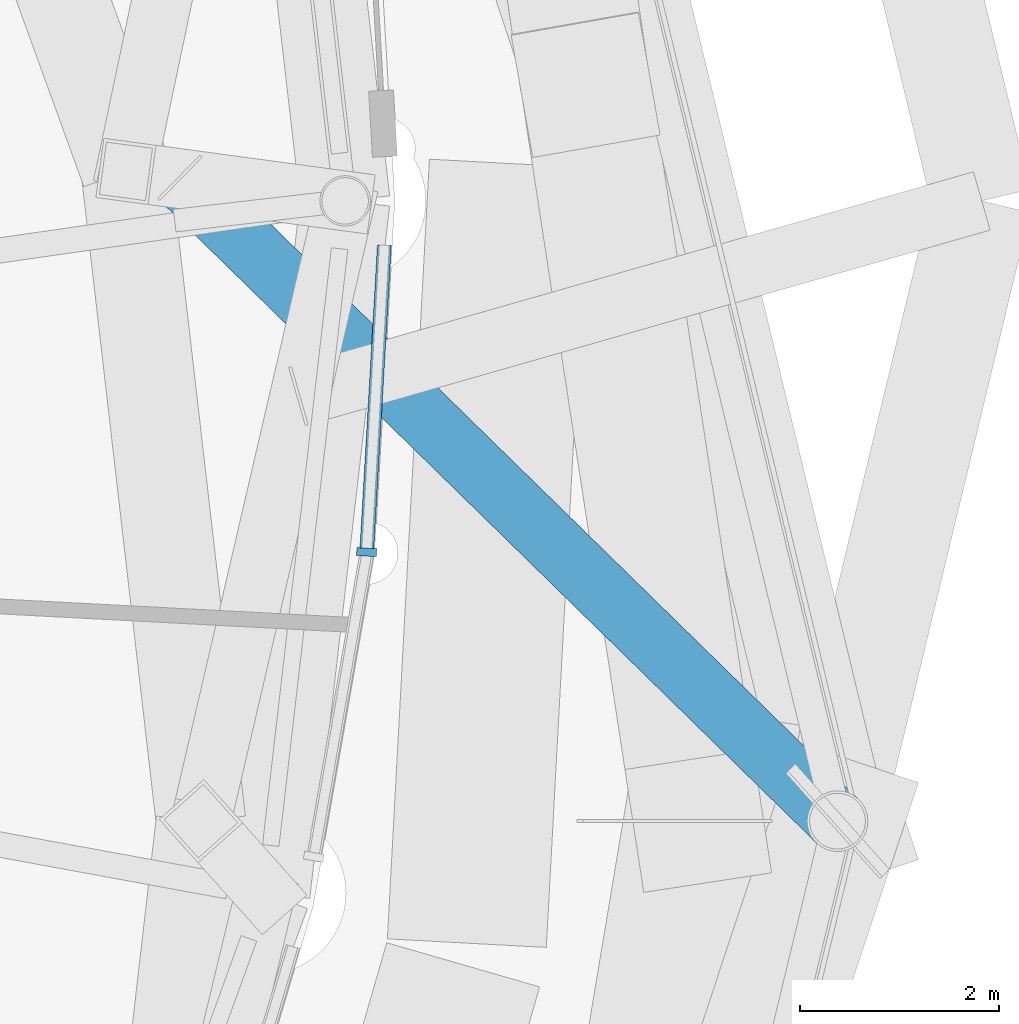
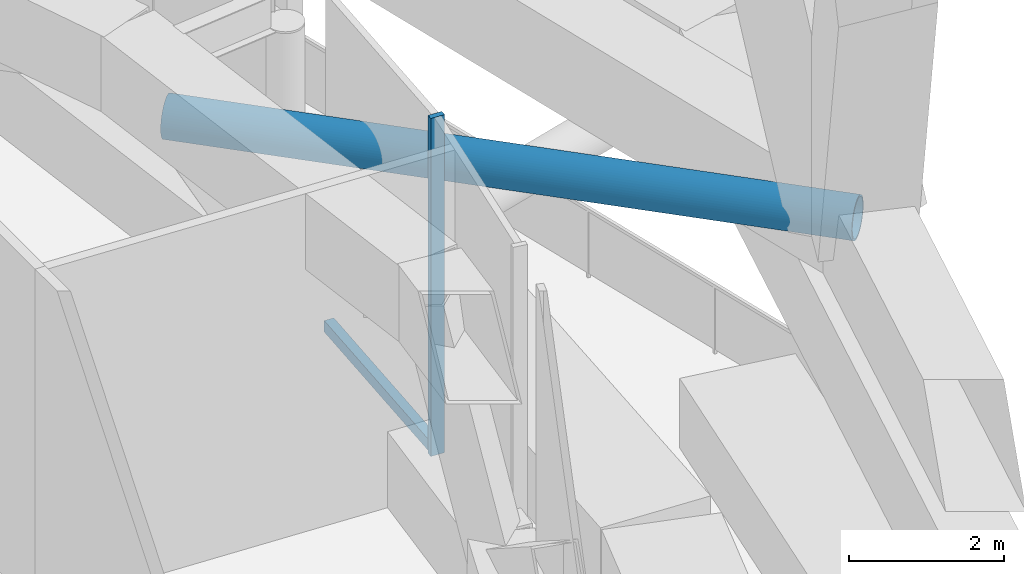
# One storey, part 25 of 48: 3 members, 1 element without a shape of its own.
"""IFC4 building model written with IfcOpenShell, lengths in metres."""

from ifc_helpers import new_model, si_unit, direction, frame, origin, origin_2d, place, context, subcontext, project, spatial, rectangle, hollow_circle, extrude, material, layer, layer_set, material_profile, profile_set, type_object, element, aggregate, save


model = new_model("IFC4")

# Units and contexts
model_context = context("Model", 3, precision=1e-05, world=origin(), true_north=direction((0.0, 1.0)))
body_context = subcontext(model_context, "Body", "Model", "MODEL_VIEW")
ifc_project = project(units=[si_unit("LENGTHUNIT", "METRE"), si_unit("AREAUNIT", "SQUARE_METRE"), si_unit("VOLUMEUNIT", "CUBIC_METRE"), si_unit("PLANEANGLEUNIT", "RADIAN"), si_unit("MASSUNIT", "GRAM", prefix="KILO")], contexts=[model_context])

# Site, building, storey
site_placement = place(None, origin())
site = spatial("IfcSite", under=ifc_project, at=site_placement, CompositionType="ELEMENT")
building_placement = place(site_placement, origin())
building = spatial("IfcBuilding", under=site, at=building_placement, Name="Nagisa Residences", CompositionType="ELEMENT")
storey_placement = place(building_placement, frame((0.0, 0.0, 252.89990234375)))
storey = spatial("IfcBuildingStorey", under=building, at=storey_placement, Name="L64", CompositionType="ELEMENT", Elevation=252.89990234375)

# Curtain wall, members
ifc_material_1 = material(Name="Aluminium curtain wall system", Category="aluminium")
ifc_layer = layer(ifc_material_1, 0.159912109375)
ifc_layer_set = layer_set([ifc_layer], Name="CW2 CURTAIN WALL")
curtain_wall_type = type_object("IfcCurtainWallType", Name="CW2 CURTAIN WALL", PredefinedType="NOTDEFINED", material=ifc_layer_set)
curtain_wall_placement = place(storey_placement, origin())
curtain_wall = element("IfcCurtainWall", 1, at=curtain_wall_placement, inside=storey, type_object=curtain_wall_type, Name="cw:CW2:L64:47", PredefinedType="NOTDEFINED")
ifc_material_2 = material(Name="Aluminium", Category="aluminium")
ifc_material_profile_1 = material_profile(ifc_material_2, rectangle(XDim=0.199951171875, YDim=0.080078125, at=origin_2d()), Name="CW2 MULLION 200x80")
ifc_profile_set_1 = profile_set([ifc_material_profile_1], Name="Aluminium")
member_type_1 = type_object("IfcMemberType", Name="CW2 MULLION 200x80", PredefinedType="MULLION", material=ifc_profile_set_1)
member_1_placement = place(storey_placement, frame((21.986572265625, -0.412841796875, 0.0), z_axis=(0.0, 0.0, 1.0), x_axis=(-0.998345305184, 0.057503492216, 0.0)))
member_1 = element("IfcMember", 2, at=member_1_placement, type_object=member_type_1, Name="CW2 mullion", PredefinedType="MULLION", context=body_context, shape_type="SweptSolid", body=[
    extrude(rectangle(XDim=0.199951171875, YDim=0.080078125, at=origin_2d()), origin(), (0.0, 0.0, 1.0), 5.340087890625),
])
ifc_material_3 = material(Name="Aluminium", Category="aluminium")
ifc_material_profile_2 = material_profile(ifc_material_3, rectangle(XDim=0.139892578125, YDim=0.179931640625, at=origin_2d()), Name="CW2 TRANSOM 140x180")
ifc_profile_set_2 = profile_set([ifc_material_profile_2], Name="Aluminium")
member_type_2 = type_object("IfcMemberType", Name="CW2 TRANSOM 140x180", PredefinedType="USERDEFINED", material=ifc_profile_set_2)
member_2_placement = place(storey_placement, frame((21.984130859375, -0.452880859375, 0.090087890625), z_axis=(0.057542734034, 0.998343044129, 0.0), x_axis=(-0.998343044129, 0.057542734034, 0.0)))
member_2 = element("IfcMember", 3, at=member_2_placement, type_object=member_type_2, Name="CW2 transom", ObjectType="TRANSOM", PredefinedType="USERDEFINED", context=body_context, shape_type="SweptSolid", body=[
    extrude(rectangle(XDim=0.139892578125, YDim=0.179931640625, at=origin_2d()), origin(), (0.0, 0.0, 1.0), 3.131103515625),
])
aggregate(curtain_wall, [member_1, member_2])

# Member
ifc_material_4 = material(Name="Steel ASTM A572 Gr 65", Category="steel")
ifc_material_profile_3 = material_profile(ifc_material_4, hollow_circle(Radius=0.304931640625, WallThickness=0.02490234375, at=origin_2d()), Name="CHS 610x25")
ifc_profile_set_3 = profile_set([ifc_material_profile_3], Name="Steel ASTM A572 Gr 65")
member_type_3 = type_object("IfcMemberType", Name="Cage strut CHS 610x25", PredefinedType="STRUT", material=ifc_profile_set_3)
member_3_placement = place(storey_placement, frame((26.719970703125, -3.11767578125, 3.7001953125), z_axis=(-0.714758745234, 0.699371100426, 0.0), x_axis=(-0.699371100426, -0.714758745234, 0.0)))
element("IfcMember", 4, at=member_3_placement, inside=storey, type_object=member_type_3, Name="mem:L64:bt5st6b01", PredefinedType="STRUT", context=body_context, shape_type="SweptSolid", body=[
    extrude(hollow_circle(Radius=0.304931640625, WallThickness=0.02490234375, at=origin_2d()), origin(), (0.0, 0.0, 1.0), 9.234130859375),
])

save(model, "model.ifc")
